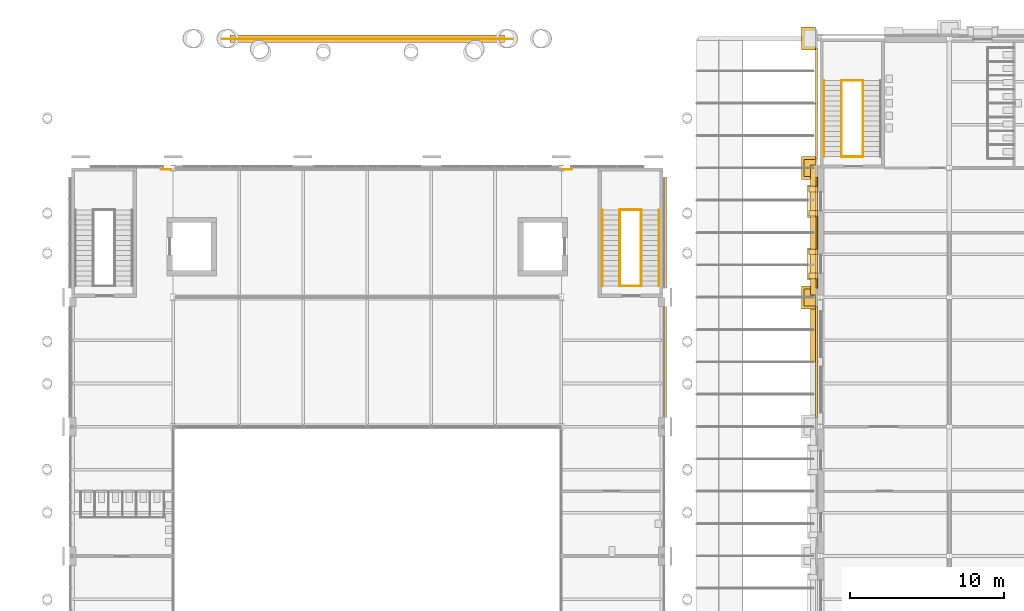
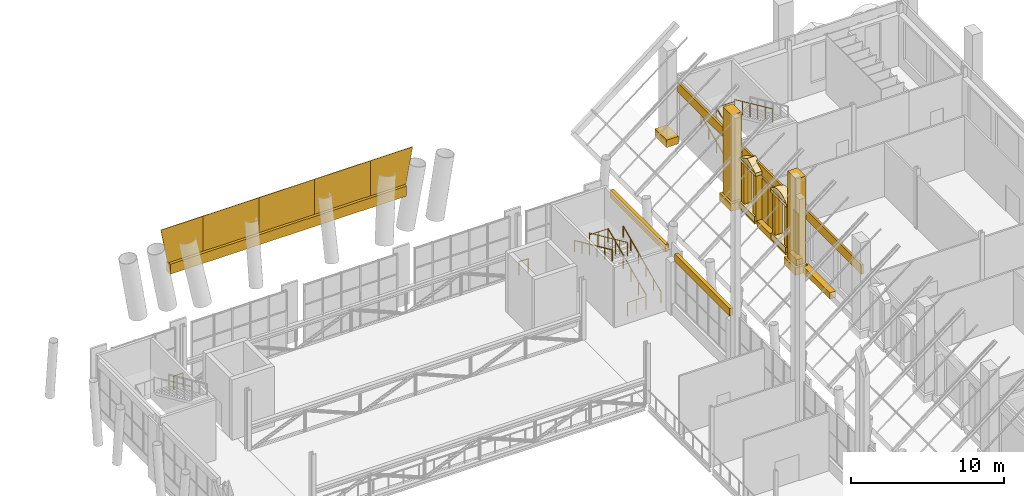
# One storey, part 67 of 76: 37 coverings, 13 railings.
"""IFC4 building model written with IfcOpenShell, lengths in metres."""

import ifcopenshell
import ifcopenshell.guid

model = None  # the IFC model being written
_history = None  # IfcOwnerHistory: only IFC2X3 demands one
_inside = {}  # id of a spatial element -> (the spatial element, [elements in it])
_under = {}  # id of a project, library or spatial element -> (it, [spatial elements below it])
_declared = {}  # id of a project -> (the project, [libraries it declares])
_typed = {}  # id of a type object -> (the type object, [elements of that type])
_made_of = {}  # id of a material, layer set ... -> (it, [elements and type objects made of it])


def new_model(schema):
    """Start an empty IFC model of exactly this schema.

    Asked for "IFC4X3", IfcOpenShell would pick the latest addendum, in which some entities
    have other attributes; the version numbers below select the first issue.
    IFC2X3 requires an IfcOwnerHistory on every rooted entity: one is made here for all.
    """
    global model, _history
    if schema == "IFC4X3":
        model = ifcopenshell.file(schema_version=(4, 3, 0, 0))
    else:
        model = ifcopenshell.file(schema=schema)
    _inside.clear()
    _under.clear()
    _declared.clear()
    _typed.clear()
    _made_of.clear()
    _history = None
    if model.schema == "IFC2X3":
        org = make("IfcOrganization", Name="unknown")
        user = make(
            "IfcPersonAndOrganization",
            ThePerson=make("IfcPerson", FamilyName="unknown"),
            TheOrganization=org,
        )
        app = make(
            "IfcApplication",
            ApplicationDeveloper=org,
            Version="unknown",
            ApplicationFullName="unknown",
            ApplicationIdentifier="unknown",
        )
        _history = make(
            "IfcOwnerHistory",
            OwningUser=user,
            OwningApplication=app,
            ChangeAction="ADDED",
            CreationDate=0,
        )
    return model


def make(cls, **values):
    """One entity of the class cls with the attributes given. An attribute that is None is left unset."""
    return model.create_entity(
        cls, **{name: value for name, value in values.items() if value is not None}
    )


def rooted(cls, **values):
    """An entity with a GlobalId (a new one), such as an element, a storey or a relation."""
    return make(cls, GlobalId=ifcopenshell.guid.new(), OwnerHistory=_history, **values)


def si_unit(unit_type, name, prefix=None):
    """IfcSIUnit, for example si_unit("LENGTHUNIT", "METRE", prefix="MILLI")."""
    return make("IfcSIUnit", UnitType=unit_type, Prefix=prefix, Name=name)


def assignment(units):
    """IfcUnitAssignment: the units of a project."""
    return None if units is None else make("IfcUnitAssignment", Units=units)


def point(xyz):
    """IfcCartesianPoint."""
    return None if xyz is None else make("IfcCartesianPoint", Coordinates=xyz)


def direction(xyz):
    """IfcDirection."""
    return None if xyz is None else make("IfcDirection", DirectionRatios=xyz)


def frame(location, z_axis=None, x_axis=None):
    """IfcAxis2Placement3D, a coordinate frame: its origin and axes. An axis left out is left unset."""
    return make(
        "IfcAxis2Placement3D",
        Location=point(location),
        Axis=direction(z_axis),
        RefDirection=direction(x_axis),
    )


def frame_2d(location, x_axis=None):
    """IfcAxis2Placement2D, a coordinate frame in the plane: its origin and x axis."""
    return make(
        "IfcAxis2Placement2D", Location=point(location), RefDirection=direction(x_axis)
    )


def origin():
    """The frame at (0, 0, 0) with its axes left unset."""
    return frame((0.0, 0.0, 0.0))


def origin_2d():
    """The frame at (0, 0) in the plane with its x axis left unset."""
    return frame_2d((0.0, 0.0))


def place(relative_to, where):
    """IfcLocalPlacement: puts the frame where relative to a parent placement (None: the world)."""
    return make(
        "IfcLocalPlacement", PlacementRelTo=relative_to, RelativePlacement=where
    )


def context(
    kind, dimensions, precision=None, world=None, true_north=None, identifier=None
):
    """IfcGeometricRepresentationContext, for example the 3D "Model" context."""
    return make(
        "IfcGeometricRepresentationContext",
        ContextIdentifier=identifier,
        ContextType=kind,
        CoordinateSpaceDimension=dimensions,
        Precision=precision,
        WorldCoordinateSystem=world,
        TrueNorth=true_north,
    )


def subcontext(parent, identifier, kind, view, scale=None):
    """IfcGeometricRepresentationSubContext, for example "Body" below "Model"."""
    return make(
        "IfcGeometricRepresentationSubContext",
        ContextIdentifier=identifier,
        ContextType=kind,
        ParentContext=parent,
        TargetScale=scale,
        TargetView=view,
    )


def project(units=None, contexts=None):
    """IfcProject with its units and contexts."""
    return rooted(
        "IfcProject",
        Name="project",
        RepresentationContexts=contexts,
        UnitsInContext=assignment(units),
    )


def spatial(cls, under=None, at=None, **own):
    """A site, building, storey or space (cls), placed at a placement, below another one or the project."""
    s = rooted(cls, ObjectPlacement=at, **own)
    if under is not None:
        _under.setdefault(under.id(), (under, []))[1].append(s)
    return s


def polyline(points):
    """IfcPolyline through the points."""
    return make("IfcPolyline", Points=[point(p) for p in points])


def profile(cls, at=None, kind="AREA", **sizes):
    """A parametric profile (cls). Its sizes go by their IFC names, for example OverallWidth=200.0."""
    return make(cls, ProfileType=kind, Position=at, **sizes)


def rectangle(**sizes):
    """IfcRectangleProfileDef."""
    return profile("IfcRectangleProfileDef", **sizes)


def circle(**sizes):
    """IfcCircleProfileDef."""
    return profile("IfcCircleProfileDef", **sizes)


def outline(outer, holes=None, kind="AREA"):
    """IfcArbitraryClosedProfileDef: a profile drawn as a closed curve; with holes, ...WithVoids."""
    if holes is None:
        return make("IfcArbitraryClosedProfileDef", ProfileType=kind, OuterCurve=outer)
    return make(
        "IfcArbitraryProfileDefWithVoids",
        ProfileType=kind,
        OuterCurve=outer,
        InnerCurves=holes,
    )


def extrude(swept, where, along, depth):
    """IfcExtrudedAreaSolid: the profile swept, set in the frame where, extruded along a direction by depth."""
    return make(
        "IfcExtrudedAreaSolid",
        SweptArea=swept,
        Position=where,
        ExtrudedDirection=direction(along),
        Depth=depth,
    )


def shape(context_of_items, identifier, shape_type, items):
    """IfcShapeRepresentation: the items that make up one representation, for example the "Body"."""
    return make(
        "IfcShapeRepresentation",
        ContextOfItems=context_of_items,
        RepresentationIdentifier=identifier,
        RepresentationType=shape_type,
        Items=items,
    )


def material(Name=None, Category=None):
    """IfcMaterial."""
    return make("IfcMaterial", Name=Name, Category=Category)


def layer(
    of_material, thickness, ventilated=None, Name=None, Category=None, Priority=None
):
    """IfcMaterialLayer: one layer of a wall or slab, of a material (None: an air gap)."""
    return make(
        "IfcMaterialLayer",
        Material=of_material,
        LayerThickness=thickness,
        IsVentilated=ventilated,
        Name=Name,
        Category=Category,
        Priority=Priority,
    )


def layer_set(layers, Name=None):
    """IfcMaterialLayerSet."""
    return make("IfcMaterialLayerSet", MaterialLayers=layers, LayerSetName=Name)


def material_profile(
    of_material, cross_section, Name=None, Category=None, Priority=None
):
    """IfcMaterialProfile: a cross section and its material."""
    return make(
        "IfcMaterialProfile",
        Name=Name,
        Material=of_material,
        Profile=cross_section,
        Priority=Priority,
        Category=Category,
    )


def profile_set(profiles, Name=None, composite=None):
    """IfcMaterialProfileSet."""
    return make(
        "IfcMaterialProfileSet",
        Name=Name,
        MaterialProfiles=profiles,
        CompositeProfile=composite,
    )


def made_of(thing, what):
    """Note that an element or type object is made of a material, layer set ...; save() writes the relation."""
    if what is not None:
        _made_of.setdefault(what.id(), (what, []))[1].append(thing)
    return thing


def type_object(cls, material=None, **own):
    """A type object (cls), such as IfcWallType, which elements share."""
    return made_of(rooted(cls, **own), material)


def element(
    cls,
    number,
    at=None,
    inside=None,
    cuts=None,
    type_object=None,
    material=None,
    context=None,
    identifier="Body",
    shape_type=None,
    held_by="IfcProductDefinitionShape",
    body=None,
    shapes=None,
    **own,
):
    """One element of the class cls, such as IfcWall. Its Tag is "e" and its number.

    at: its placement. inside: the storey or other place that contains it. cuts: it is an
    opening in that element (IfcRelVoidsElement). A single representation is given by context,
    identifier, shape_type and body (its items); several are given by shapes. held_by: the class
    of the entity that holds the representations. save() writes the other relations.
    """
    e = rooted(cls, Tag="e%d" % number, ObjectPlacement=at, **own)
    if body is not None:
        shapes = [shape(context, identifier, shape_type, body)]
    if shapes is not None:
        e.Representation = make(held_by, Representations=shapes)
    if inside is not None:
        _inside.setdefault(inside.id(), (inside, []))[1].append(e)
    if cuts is not None:
        rooted(
            "IfcRelVoidsElement", RelatingBuildingElement=cuts, RelatedOpeningElement=e
        )
    if type_object is not None:
        _typed.setdefault(type_object.id(), (type_object, []))[1].append(e)
    return made_of(e, material)


def aggregate(whole, parts):
    """IfcRelAggregates: a whole, such as a stair, and the parts it consists of."""
    return rooted("IfcRelAggregates", RelatingObject=whole, RelatedObjects=parts)


def save(model, path):
    """Write the relations noted so far, then the file.

    IfcRelAggregates (storeys below a building ...), IfcRelContainedInSpatialStructure (elements
    in a storey), IfcRelDefinesByType, IfcRelAssociatesMaterial and IfcRelDeclares: one each for
    every whole, place, type object, material and project.
    """
    for whole, parts in _under.values():
        aggregate(whole, parts)
    for where, things in _inside.values():
        rooted(
            "IfcRelContainedInSpatialStructure",
            RelatedElements=things,
            RelatingStructure=where,
        )
    for kind, things in _typed.values():
        rooted("IfcRelDefinesByType", RelatedObjects=things, RelatingType=kind)
    for what, things in _made_of.values():
        rooted("IfcRelAssociatesMaterial", RelatedObjects=things, RelatingMaterial=what)
    for by, libraries in _declared.values():
        rooted("IfcRelDeclares", RelatingContext=by, RelatedDefinitions=libraries)
    model.write(path)


model = new_model("IFC4")

# Units and contexts
model_context = context("Model", 3, precision=1e-05, world=origin(), true_north=direction((0.0, 1.0)))
body_context = subcontext(model_context, "Body", "Model", "MODEL_VIEW")
ifc_project = project(units=[si_unit("LENGTHUNIT", "METRE"), si_unit("AREAUNIT", "SQUARE_METRE"), si_unit("VOLUMEUNIT", "CUBIC_METRE"), si_unit("PLANEANGLEUNIT", "RADIAN"), si_unit("MASSUNIT", "GRAM", prefix="KILO")], contexts=[model_context])

# Site, building, storey
site_placement = place(None, origin())
site = spatial("IfcSite", under=ifc_project, at=site_placement, CompositionType="ELEMENT")
building_placement = place(site_placement, origin())
building = spatial("IfcBuilding", under=site, at=building_placement, Name="Sava Quay Ferry Terminal", CompositionType="ELEMENT")
storey_placement = place(building_placement, frame((0.0, 0.0, 6.0)))
storey = spatial("IfcBuildingStorey", under=building, at=storey_placement, Name="L01", CompositionType="ELEMENT", Elevation=6.0)

# Coverings
ifc_material_1 = material(Name="Copper patinated")
ifc_layer_1 = layer(ifc_material_1, 0.25)
ifc_layer_set_1 = layer_set([ifc_layer_1], Name="Copper patinated")
covering_type_1 = type_object("IfcCoveringType", Name="Copper spandrel panel 250", PredefinedType="CLADDING", material=ifc_layer_set_1)
for number, where, z_axis, x_axis, name in (
    (1, (82.300048828125, 84.60009765625, 4.199951171875), (0.0, 0.0, 1.0), (0.0, 1.0, 0.0), "Spandrel panel D-E"),
    (2, (82.300048828125, 93.0, 4.199951171875), (0.0, 0.0, 1.0), (0.0, 1.0, 0.0), "Spandrel panel D-E"),
):
    element("IfcCovering", number, at=place(storey_placement, frame(where, z_axis=z_axis, x_axis=x_axis)), inside=storey, type_object=covering_type_1, Name=name, PredefinedType="CLADDING", context=body_context, shape_type="SweptSolid", body=[
        extrude(outline(polyline([(0.0, 0.0), (7.199951171875, 0.0), (7.199951171875, 0.60009765625), (0.0, 0.60009765625), (0.0, 0.0)])), frame((0.0, 0.125, 0.0), z_axis=(0.0, -1.0, 0.0), x_axis=(1.0, 0.0, 0.0)), (0.0, 0.0, 1.0), 0.25),
    ])

# Railings
ifc_material_2 = material(Name="Steel S355", Category="steel")
railing_type_1 = type_object("IfcRailingType", Name="Edge guard 1100", PredefinedType="GUARDRAIL", material=ifc_material_2)
for number, where, name in (
    (3, (49.60009765625, 100.699951171875, 0.0), "Hall flank terrace edge guard"),
    (4, (75.60009765625, 100.699951171875, 0.0), "Hall flank terrace edge guard"),
):
    element("IfcRailing", number, at=place(storey_placement, frame(where)), inside=storey, type_object=railing_type_1, Name=name, PredefinedType="GUARDRAIL", context=body_context, shape_type="SweptSolid", body=[
        extrude(circle(Radius=0.02392578125, at=origin_2d()), frame((0.0, 0.0, 1.076171875), z_axis=(1.0, 0.0, 0.0), x_axis=(0.0, 1.0, 0.0)), (0.0, 0.0, 1.0), 0.699951171875),
        extrude(circle(Radius=0.02099609375, at=origin_2d()), origin(), (0.0, 0.0, 1.0), 1.052001953125),
        extrude(circle(Radius=0.02099609375, at=origin_2d()), frame((0.699951171875, 0.0, 0.0)), (0.0, 0.0, 1.0), 1.052001953125),
    ])

# Coverings
ifc_material_3 = material(Name="Limestone Mutalj", Category="masonry")
ifc_layer_2 = layer(ifc_material_3, 0.89990234375)
ifc_layer_set_2 = layer_set([ifc_layer_2], Name="Limestone Mutalj")
covering_type_2 = type_object("IfcCoveringType", Name="Giant-order pilaster base 1500", PredefinedType="MOLDING", material=ifc_layer_set_2)
for number, where, z_axis, x_axis, name in (
    (5, (91.64990234375, 92.39990234375, 0.0), (0.0, 0.0, 1.0), (1.0, 0.0, 0.0), "Giant-order pilaster base"),
    (6, (91.64990234375, 100.800048828125, 0.0), (0.0, 0.0, 1.0), (1.0, 0.0, 0.0), "Giant-order pilaster base"),
    (7, (91.64990234375, 109.199951171875, 0.0), (0.0, 0.0, 1.0), (1.0, 0.0, 0.0), "Giant-order pilaster base"),
):
    element("IfcCovering", number, at=place(storey_placement, frame(where, z_axis=z_axis, x_axis=x_axis)), inside=storey, type_object=covering_type_2, Name=name, PredefinedType="MOLDING", context=body_context, shape_type="SweptSolid", body=[
        extrude(rectangle(XDim=0.89990234375, YDim=1.5, at=origin_2d()), origin(), (0.0, 0.0, 1.0), 0.60009765625),
    ])
ifc_material_4 = material(Name="Limestone Mutalj", Category="masonry")
ifc_layer_3 = layer(ifc_material_4, 0.75)
ifc_layer_set_3 = layer_set([ifc_layer_3], Name="Limestone Mutalj")
covering_type_3 = type_object("IfcCoveringType", Name="Giant-order pilaster shaft 1100", PredefinedType="CLADDING", material=ifc_layer_set_3)
for number, where, z_axis, x_axis, name in (
    (8, (91.72509765625, 92.39990234375, 0.60009765625), (0.0, 0.0, 1.0), (1.0, 0.0, 0.0), "Giant-order pilaster"),
    (9, (91.72509765625, 100.800048828125, 0.60009765625), (0.0, 0.0, 1.0), (1.0, 0.0, 0.0), "Giant-order pilaster"),
):
    element("IfcCovering", number, at=place(storey_placement, frame(where, z_axis=z_axis, x_axis=x_axis)), inside=storey, type_object=covering_type_3, Name=name, PredefinedType="CLADDING", context=body_context, shape_type="SweptSolid", body=[
        extrude(rectangle(XDim=0.75, YDim=1.10009765625, at=origin_2d()), origin(), (0.0, 0.0, 1.0), 6.89990234375),
    ])

# Railings
ifc_material_5 = material(Name="Steel S355", Category="steel")
railing_type_2 = type_object("IfcRailingType", Name="Guard 1100", PredefinedType="GUARDRAIL", material=ifc_material_5)
railing_1_placement = place(storey_placement, frame((79.39990234375, 93.1298828125, 0.0)))
element("IfcRailing", 10, at=railing_1_placement, inside=storey, type_object=railing_type_2, Name="Guard at stair well ST-D6 L01", PredefinedType="GUARDRAIL", context=body_context, shape_type="SweptSolid", body=[
    extrude(circle(Radius=0.02392578125, at=origin_2d()), frame((0.0, 0.0, 1.076171875), z_axis=(1.0, 0.0, 0.0), x_axis=(0.0, 1.0, 0.0)), (0.0, 0.0, 1.0), 1.400146484375),
    extrude(circle(Radius=0.02099609375, at=origin_2d()), origin(), (0.0, 0.0, 1.0), 1.052001953125),
    extrude(circle(Radius=0.02099609375, at=origin_2d()), frame((0.7001953125, 0.0, 0.0)), (0.0, 0.0, 1.0), 1.052001953125),
    extrude(circle(Radius=0.02099609375, at=origin_2d()), frame((1.400146484375, 0.0, 0.0)), (0.0, 0.0, 1.0), 1.052001953125),
])
railing_2_placement = place(storey_placement, frame((80.800048828125, 93.1298828125, 0.14990234375)))
element("IfcRailing", 11, at=railing_2_placement, inside=storey, type_object=railing_type_2, Name="Guard at stair well ST-D6 L01", PredefinedType="GUARDRAIL", context=body_context, shape_type="SweptSolid", body=[
    extrude(circle(Radius=0.02392578125, at=origin_2d()), frame((0.0, 0.0, 1.076171875), z_axis=(0.0, 0.910372627913, 0.413789413043), x_axis=(-1.0, 0.0, 0.0)), (0.0, 0.0, 1.0), 5.4375),
    extrude(circle(Radius=0.02099609375, at=origin_2d()), origin(), (0.0, 0.0, 1.0), 1.052001953125),
    extrude(circle(Radius=0.02099609375, at=origin_2d()), frame((0.0, 0.989990234375, 0.449951171875)), (0.0, 0.0, 1.0), 1.052001953125),
    extrude(circle(Radius=0.02099609375, at=origin_2d()), frame((0.0, 1.97998046875, 0.89990234375)), (0.0, 0.0, 1.0), 1.052001953125),
    extrude(circle(Radius=0.02099609375, at=origin_2d()), frame((0.0, 2.97021484375, 1.35009765625)), (0.0, 0.0, 1.0), 1.052001953125),
    extrude(circle(Radius=0.02099609375, at=origin_2d()), frame((0.0, 3.960205078125, 1.800048828125)), (0.0, 0.0, 1.0), 1.052001953125),
    extrude(circle(Radius=0.02099609375, at=origin_2d()), frame((0.0, 4.9501953125, 2.25)), (0.0, 0.0, 1.0), 1.052001953125),
])
railing_3_placement = place(storey_placement, frame((79.39990234375, 98.080078125, 2.550048828125)))
element("IfcRailing", 12, at=railing_3_placement, inside=storey, type_object=railing_type_2, Name="Guard at stair well ST-D6 L01", PredefinedType="GUARDRAIL", context=body_context, shape_type="SweptSolid", body=[
    extrude(circle(Radius=0.02392578125, at=origin_2d()), frame((0.0, 0.0, 1.076171875), z_axis=(0.0, -0.910372627913, 0.413789413043), x_axis=(1.0, 0.0, 0.0)), (0.0, 0.0, 1.0), 5.4375),
    extrude(circle(Radius=0.02099609375, at=origin_2d()), origin(), (0.0, 0.0, 1.0), 1.052001953125),
    extrude(circle(Radius=0.02099609375, at=origin_2d()), frame((0.0, -0.989990234375, 0.449951171875)), (0.0, 0.0, 1.0), 1.052001953125),
    extrude(circle(Radius=0.02099609375, at=origin_2d()), frame((0.0, -1.97998046875, 0.89990234375)), (0.0, 0.0, 1.0), 1.052001953125),
    extrude(circle(Radius=0.02099609375, at=origin_2d()), frame((0.0, -2.97021484375, 1.35009765625)), (0.0, 0.0, 1.0), 1.052001953125),
    extrude(circle(Radius=0.02099609375, at=origin_2d()), frame((0.0, -3.960205078125, 1.800048828125)), (0.0, 0.0, 1.0), 1.052001953125),
    extrude(circle(Radius=0.02099609375, at=origin_2d()), frame((0.0, -4.9501953125, 2.25)), (0.0, 0.0, 1.0), 1.052001953125),
])
railing_4_placement = place(storey_placement, frame((79.39990234375, 98.080078125, 2.39990234375)))
element("IfcRailing", 13, at=railing_4_placement, inside=storey, type_object=railing_type_2, Name="Guard at half landing ST-D6 L01", PredefinedType="GUARDRAIL", context=body_context, shape_type="SweptSolid", body=[
    extrude(circle(Radius=0.02392578125, at=origin_2d()), frame((0.0, 0.0, 1.076171875), z_axis=(1.0, 0.0, 0.0), x_axis=(0.0, 1.0, 0.0)), (0.0, 0.0, 1.0), 1.400146484375),
    extrude(circle(Radius=0.02099609375, at=origin_2d()), origin(), (0.0, 0.0, 1.0), 1.052001953125),
    extrude(circle(Radius=0.02099609375, at=origin_2d()), frame((0.7001953125, 0.0, 0.0)), (0.0, 0.0, 1.0), 1.052001953125),
    extrude(circle(Radius=0.02099609375, at=origin_2d()), frame((1.400146484375, 0.0, 0.0)), (0.0, 0.0, 1.0), 1.052001953125),
])
railing_5_placement = place(storey_placement, frame((93.800048828125, 101.530029296875, 0.0)))
element("IfcRailing", 14, at=railing_5_placement, inside=storey, type_object=railing_type_2, Name="Guard at stair well ST-O3 L01", PredefinedType="GUARDRAIL", context=body_context, shape_type="SweptSolid", body=[
    extrude(circle(Radius=0.02392578125, at=origin_2d()), frame((0.0, 0.0, 1.076171875), z_axis=(1.0, 0.0, 0.0), x_axis=(0.0, 1.0, 0.0)), (0.0, 0.0, 1.0), 1.39990234375),
    extrude(circle(Radius=0.02099609375, at=origin_2d()), origin(), (0.0, 0.0, 1.0), 1.052001953125),
    extrude(circle(Radius=0.02099609375, at=origin_2d()), frame((0.699951171875, 0.0, 0.0)), (0.0, 0.0, 1.0), 1.052001953125),
    extrude(circle(Radius=0.02099609375, at=origin_2d()), frame((1.39990234375, 0.0, 0.0)), (0.0, 0.0, 1.0), 1.052001953125),
])
railing_6_placement = place(storey_placement, frame((93.800048828125, 101.530029296875, 0.14990234375)))
element("IfcRailing", 15, at=railing_6_placement, inside=storey, type_object=railing_type_2, Name="Guard at stair well ST-O3 L01", PredefinedType="GUARDRAIL", context=body_context, shape_type="SweptSolid", body=[
    extrude(circle(Radius=0.02392578125, at=origin_2d()), frame((0.0, 0.0, 1.076171875), z_axis=(0.0, 0.910364939756, 0.41380632724), x_axis=(-1.0, 0.0, 0.0)), (0.0, 0.0, 1.0), 5.437255859375),
    extrude(circle(Radius=0.02099609375, at=origin_2d()), origin(), (0.0, 0.0, 1.0), 1.052001953125),
    extrude(circle(Radius=0.02099609375, at=origin_2d()), frame((0.0, 0.989990234375, 0.449951171875)), (0.0, 0.0, 1.0), 1.052001953125),
    extrude(circle(Radius=0.02099609375, at=origin_2d()), frame((0.0, 1.97998046875, 0.89990234375)), (0.0, 0.0, 1.0), 1.052001953125),
    extrude(circle(Radius=0.02099609375, at=origin_2d()), frame((0.0, 2.969970703125, 1.35009765625)), (0.0, 0.0, 1.0), 1.052001953125),
    extrude(circle(Radius=0.02099609375, at=origin_2d()), frame((0.0, 3.9599609375, 1.800048828125)), (0.0, 0.0, 1.0), 1.052001953125),
    extrude(circle(Radius=0.02099609375, at=origin_2d()), frame((0.0, 4.949951171875, 2.25)), (0.0, 0.0, 1.0), 1.052001953125),
])
railing_7_placement = place(storey_placement, frame((95.199951171875, 106.47998046875, 2.550048828125)))
element("IfcRailing", 16, at=railing_7_placement, inside=storey, type_object=railing_type_2, Name="Guard at stair well ST-O3 L01", PredefinedType="GUARDRAIL", context=body_context, shape_type="SweptSolid", body=[
    extrude(circle(Radius=0.02392578125, at=origin_2d()), frame((0.0, 0.0, 1.076171875), z_axis=(0.0, -0.910364939756, 0.41380632724), x_axis=(1.0, 0.0, 0.0)), (0.0, 0.0, 1.0), 5.437255859375),
    extrude(circle(Radius=0.02099609375, at=origin_2d()), origin(), (0.0, 0.0, 1.0), 1.052001953125),
    extrude(circle(Radius=0.02099609375, at=origin_2d()), frame((0.0, -0.989990234375, 0.449951171875)), (0.0, 0.0, 1.0), 1.052001953125),
    extrude(circle(Radius=0.02099609375, at=origin_2d()), frame((0.0, -1.97998046875, 0.89990234375)), (0.0, 0.0, 1.0), 1.052001953125),
    extrude(circle(Radius=0.02099609375, at=origin_2d()), frame((0.0, -2.969970703125, 1.35009765625)), (0.0, 0.0, 1.0), 1.052001953125),
    extrude(circle(Radius=0.02099609375, at=origin_2d()), frame((0.0, -3.9599609375, 1.800048828125)), (0.0, 0.0, 1.0), 1.052001953125),
    extrude(circle(Radius=0.02099609375, at=origin_2d()), frame((0.0, -4.949951171875, 2.25)), (0.0, 0.0, 1.0), 1.052001953125),
])
railing_8_placement = place(storey_placement, frame((93.800048828125, 106.47998046875, 2.39990234375)))
element("IfcRailing", 17, at=railing_8_placement, inside=storey, type_object=railing_type_2, Name="Guard at half landing ST-O3 L01", PredefinedType="GUARDRAIL", context=body_context, shape_type="SweptSolid", body=[
    extrude(circle(Radius=0.02392578125, at=origin_2d()), frame((0.0, 0.0, 1.076171875), z_axis=(1.0, 0.0, 0.0), x_axis=(0.0, 1.0, 0.0)), (0.0, 0.0, 1.0), 1.39990234375),
    extrude(circle(Radius=0.02099609375, at=origin_2d()), origin(), (0.0, 0.0, 1.0), 1.052001953125),
    extrude(circle(Radius=0.02099609375, at=origin_2d()), frame((0.699951171875, 0.0, 0.0)), (0.0, 0.0, 1.0), 1.052001953125),
    extrude(circle(Radius=0.02099609375, at=origin_2d()), frame((1.39990234375, 0.0, 0.0)), (0.0, 0.0, 1.0), 1.052001953125),
])

# Coverings
ifc_material_6 = material(Name="Limestone Mutalj", Category="masonry")
ifc_layer_4 = layer(ifc_material_6, 0.080078125)
ifc_layer_set_4 = layer_set([ifc_layer_4], Name="Limestone Mutalj")
covering_type_4 = type_object("IfcCoveringType", Name="Light stone cladding 80", PredefinedType="CLADDING", material=ifc_layer_set_4)
covering_1_placement = place(storey_placement, frame((92.2099609375, 93.309326171875, 0.5), z_axis=(0.0, 0.0, 1.0), x_axis=(1.0, 0.0, 0.0)))
element("IfcCovering", 18, at=covering_1_placement, inside=storey, type_object=covering_type_4, Name="Light stone cladding", PredefinedType="CLADDING", context=body_context, shape_type="SweptSolid", body=[
    extrude(rectangle(XDim=0.080078125, YDim=0.61865234375, at=origin_2d()), origin(), (0.0, 0.0, 1.0), 3.25),
])
covering_2_placement = place(storey_placement, frame((92.2099609375, 95.893798828125, 0.5), z_axis=(0.0, 0.0, 1.0), x_axis=(1.0, 0.0, 0.0)))
element("IfcCovering", 19, at=covering_2_placement, inside=storey, type_object=covering_type_4, Name="Light stone cladding", PredefinedType="CLADDING", context=body_context, shape_type="SweptSolid", body=[
    extrude(rectangle(XDim=0.080078125, YDim=0.75, at=origin_2d()), origin(), (0.0, 0.0, 1.0), 3.25),
])
covering_3_placement = place(storey_placement, frame((92.2099609375, 96.60009765625, 0.5), z_axis=(0.0, 0.0, 1.0), x_axis=(1.0, 0.0, 0.0)))
element("IfcCovering", 20, at=covering_3_placement, inside=storey, type_object=covering_type_4, Name="Light stone cladding", PredefinedType="CLADDING", context=body_context, shape_type="SweptSolid", body=[
    extrude(rectangle(XDim=0.080078125, YDim=0.66259765625, at=origin_2d()), origin(), (0.0, 0.0, 1.0), 3.550048828125),
])
covering_4_placement = place(storey_placement, frame((92.2099609375, 97.30615234375, 0.5), z_axis=(0.0, 0.0, 1.0), x_axis=(1.0, 0.0, 0.0)))
element("IfcCovering", 21, at=covering_4_placement, inside=storey, type_object=covering_type_4, Name="Light stone cladding", PredefinedType="CLADDING", context=body_context, shape_type="SweptSolid", body=[
    extrude(rectangle(XDim=0.080078125, YDim=0.75, at=origin_2d()), origin(), (0.0, 0.0, 1.0), 3.25),
])
covering_5_placement = place(storey_placement, frame((92.2099609375, 99.890625, 0.5), z_axis=(0.0, 0.0, 1.0), x_axis=(1.0, 0.0, 0.0)))
element("IfcCovering", 22, at=covering_5_placement, inside=storey, type_object=covering_type_4, Name="Light stone cladding", PredefinedType="CLADDING", context=body_context, shape_type="SweptSolid", body=[
    extrude(rectangle(XDim=0.080078125, YDim=0.618896484375, at=origin_2d()), origin(), (0.0, 0.0, 1.0), 3.25),
])
ifc_material_7 = material(Name="Limestone Mutalj", Category="masonry")
ifc_layer_5 = layer(ifc_material_7, 0.14990234375)
ifc_layer_set_5 = layer_set([ifc_layer_5], Name="Limestone Mutalj")
covering_type_5 = type_object("IfcCoveringType", Name="Limestone string course 150", PredefinedType="CLADDING", material=ifc_layer_set_5)
covering_6_placement = place(storey_placement, frame((0.0, 0.0, 4.050048828125)))
element("IfcCovering", 23, at=covering_6_placement, inside=storey, type_object=covering_type_5, Name="String course O-W", PredefinedType="CLADDING", context=body_context, shape_type="SweptSolid", body=[
    extrude(outline(polyline([(92.25, 84.60009765625), (92.25, 91.800048828125), (92.10009765625, 91.800048828125), (92.10009765625, 84.60009765625), (92.25, 84.60009765625)])), origin(), (0.0, 0.0, 1.0), 0.75),
])
covering_7_placement = place(storey_placement, frame((0.0, 0.0, 4.050048828125)))
element("IfcCovering", 24, at=covering_7_placement, inside=storey, type_object=covering_type_5, Name="String course O-W", PredefinedType="CLADDING", context=body_context, shape_type="SweptSolid", body=[
    extrude(outline(polyline([(92.25, 93.0), (92.25, 100.199951171875), (92.10009765625, 100.199951171875), (92.10009765625, 93.0), (92.25, 93.0)])), origin(), (0.0, 0.0, 1.0), 0.75),
])
covering_8_placement = place(storey_placement, frame((0.0, 0.0, 4.050048828125)))
element("IfcCovering", 25, at=covering_8_placement, inside=storey, type_object=covering_type_5, Name="String course O-W", PredefinedType="CLADDING", context=body_context, shape_type="SweptSolid", body=[
    extrude(outline(polyline([(92.25, 101.39990234375), (92.25, 108.60009765625), (92.10009765625, 108.60009765625), (92.10009765625, 101.39990234375), (92.25, 101.39990234375)])), origin(), (0.0, 0.0, 1.0), 0.75),
])
ifc_material_8 = material(Name="Limestone Mutalj", Category="masonry")
ifc_layer_6 = layer(ifc_material_8, 0.449951171875)
ifc_layer_set_6 = layer_set([ifc_layer_6], Name="Limestone Mutalj")
covering_type_6 = type_object("IfcCoveringType", Name="Projecting string course 500", PredefinedType="MOLDING", material=ifc_layer_set_6)
covering_9_placement = place(storey_placement, frame((92.02490234375, 90.0, 0.0), z_axis=(0.0, 0.0, 1.0), x_axis=(1.0, 0.0, 0.0)))
element("IfcCovering", 26, at=covering_9_placement, inside=storey, type_object=covering_type_6, Name="Projecting string course", PredefinedType="MOLDING", context=body_context, shape_type="SweptSolid", body=[
    extrude(rectangle(XDim=0.449951171875, YDim=3.60009765625, at=origin_2d()), origin(), (0.0, 0.0, 1.0), 0.5),
])
covering_10_placement = place(storey_placement, frame((92.02490234375, 93.08447265625, 0.0), z_axis=(0.0, 0.0, 1.0), x_axis=(1.0, 0.0, 0.0)))
element("IfcCovering", 27, at=covering_10_placement, inside=storey, type_object=covering_type_6, Name="Projecting string course", PredefinedType="MOLDING", context=body_context, shape_type="SweptSolid", body=[
    extrude(rectangle(XDim=0.449951171875, YDim=1.068603515625, at=origin_2d()), origin(), (0.0, 0.0, 1.0), 0.5),
])
covering_11_placement = place(storey_placement, frame((92.02490234375, 94.568603515625, 0.0), z_axis=(0.0, 0.0, 1.0), x_axis=(1.0, 0.0, 0.0)))
element("IfcCovering", 28, at=covering_11_placement, inside=storey, type_object=covering_type_6, Name="Projecting string course", PredefinedType="MOLDING", context=body_context, shape_type="SweptSolid", body=[
    extrude(rectangle(XDim=0.449951171875, YDim=1.199951171875, at=origin_2d()), origin(), (0.0, 0.0, 1.0), 0.449951171875),
])
covering_12_placement = place(storey_placement, frame((92.02490234375, 96.60009765625, 0.0), z_axis=(0.0, 0.0, 1.0), x_axis=(1.0, 0.0, 0.0)))
element("IfcCovering", 29, at=covering_12_placement, inside=storey, type_object=covering_type_6, Name="Projecting string course", PredefinedType="MOLDING", context=body_context, shape_type="SweptSolid", body=[
    extrude(rectangle(XDim=0.449951171875, YDim=2.16259765625, at=origin_2d()), origin(), (0.0, 0.0, 1.0), 0.5),
])
covering_13_placement = place(storey_placement, frame((92.02490234375, 98.631103515625, 0.0), z_axis=(0.0, 0.0, 1.0), x_axis=(1.0, 0.0, 0.0)))
element("IfcCovering", 30, at=covering_13_placement, inside=storey, type_object=covering_type_6, Name="Projecting string course", PredefinedType="MOLDING", context=body_context, shape_type="SweptSolid", body=[
    extrude(rectangle(XDim=0.449951171875, YDim=1.199951171875, at=origin_2d()), origin(), (0.0, 0.0, 1.0), 0.449951171875),
])
covering_14_placement = place(storey_placement, frame((92.02490234375, 100.29052734375, 0.0), z_axis=(0.0, 0.0, 1.0), x_axis=(1.0, 0.0, 0.0)))
element("IfcCovering", 31, at=covering_14_placement, inside=storey, type_object=covering_type_6, Name="Projecting string course", PredefinedType="MOLDING", context=body_context, shape_type="SweptSolid", body=[
    extrude(rectangle(XDim=0.449951171875, YDim=1.418701171875, at=origin_2d()), origin(), (0.0, 0.0, 1.0), 0.5),
])
ifc_material_9 = material(Name="Laminated glass", Category="glass")
ifc_layer_7 = layer(ifc_material_9, 0.0400390625)
ifc_layer_set_7 = layer_set([ifc_layer_7], Name="Laminated glass")
covering_type_7 = type_object("IfcCoveringType", Name="Prow end glazing 40", PredefinedType="CLADDING", material=ifc_layer_set_7)
covering_15_placement = place(storey_placement, frame((54.031494140625, 109.199951171875, 3.3798828125), z_axis=(0.0, 1.0, 0.0), x_axis=(-0.180432463783, 0.0, 0.983587375892)))
element("IfcCovering", 32, at=covering_15_placement, inside=storey, type_object=covering_type_7, Name="Departure hall prow end glazing panel 1", PredefinedType="CLADDING", context=body_context, shape_type="SweptSolid", body=[
    extrude(outline(polyline([(0.0, 0.0), (2.8604236201687785, 0.0), (2.285823752594362, 3.1323031570139905), (-0.481476276647376, 2.6246606490465285), (0.0, 0.0)])), origin(), (0.0, 0.0, -1.0), 0.0400390625),
])
covering_16_placement = place(storey_placement, frame((56.699951171875, 109.199951171875, 3.3798828125), z_axis=(0.0, 1.0, 0.0), x_axis=(0.0, 0.0, 1.0)))
element("IfcCovering", 33, at=covering_16_placement, inside=storey, type_object=covering_type_7, Name="Departure hall prow end glazing panel 2", PredefinedType="CLADDING", context=body_context, shape_type="SweptSolid", body=[
    extrude(outline(polyline([(0.0, 0.0), (2.8134765625, 0.0), (2.8134765625, 4.199951171875), (0.0, 4.199951171875), (0.0, 0.0)])), origin(), (0.0, 0.0, -1.0), 0.0400390625),
])
covering_17_placement = place(storey_placement, frame((60.89990234375, 109.199951171875, 3.3798828125), z_axis=(0.0, 1.0, 0.0), x_axis=(0.0, 0.0, 1.0)))
element("IfcCovering", 34, at=covering_17_placement, inside=storey, type_object=covering_type_7, Name="Departure hall prow end glazing panel 3", PredefinedType="CLADDING", context=body_context, shape_type="SweptSolid", body=[
    extrude(outline(polyline([(0.0, 0.0), (2.8134765625, 0.0), (2.8134765625, 4.2001953125), (0.0, 4.2001953125), (0.0, 0.0)])), origin(), (0.0, 0.0, -1.0), 0.0400390625),
])
covering_18_placement = place(storey_placement, frame((65.10009765625, 109.199951171875, 3.3798828125), z_axis=(0.0, 1.0, 0.0), x_axis=(0.0, 0.0, 1.0)))
element("IfcCovering", 35, at=covering_18_placement, inside=storey, type_object=covering_type_7, Name="Departure hall prow end glazing panel 4", PredefinedType="CLADDING", context=body_context, shape_type="SweptSolid", body=[
    extrude(outline(polyline([(0.0, 0.0), (2.8134765625, 0.0), (2.8134765625, 4.199951171875), (0.0, 4.199951171875), (0.0, 0.0)])), origin(), (0.0, 0.0, -1.0), 0.0400390625),
])
covering_19_placement = place(storey_placement, frame((69.300048828125, 109.199951171875, 3.3798828125), z_axis=(0.0, 1.0, 0.0), x_axis=(0.0, 0.0, 1.0)))
element("IfcCovering", 36, at=covering_19_placement, inside=storey, type_object=covering_type_7, Name="Departure hall prow end glazing panel 5", PredefinedType="CLADDING", context=body_context, shape_type="SweptSolid", body=[
    extrude(outline(polyline([(0.0, 0.0), (2.8134765625, 0.0), (2.8134765625, 3.1845703125), (0.0, 2.66845703125), (0.0, 0.0)])), origin(), (0.0, 0.0, -1.0), 0.0400390625),
])
ifc_material_10 = material(Name="Steel S355", Category="steel")
ifc_material_profile = material_profile(ifc_material_10, rectangle(XDim=0.5, YDim=0.800048828125, at=origin_2d()), Name="Transom 500 x 800")
ifc_profile_set = profile_set([ifc_material_profile], Name="Steel S355")
covering_type_8 = type_object("IfcCoveringType", Name="Prow portal transom cladding 500 x 800", PredefinedType="CLADDING", material=ifc_profile_set)
covering_20_placement = place(storey_placement, frame((54.10107421875, 109.199951171875, 3.0), z_axis=(1.0, 0.0, 0.0), x_axis=(0.0, 1.0, 0.0)))
element("IfcCovering", 37, at=covering_20_placement, inside=storey, type_object=covering_type_8, Name="Departure hall prow portal transom", PredefinedType="CLADDING", context=body_context, shape_type="SweptSolid", body=[
    extrude(rectangle(XDim=0.5, YDim=0.800048828125, at=origin_2d()), origin(), (0.0, 0.0, 1.0), 17.7978515625),
])
ifc_material_11 = material(Name="Limestone Mutalj", Category="masonry")
ifc_layer_8 = layer(ifc_material_11, 0.64990234375)
ifc_layer_set_8 = layer_set([ifc_layer_8], Name="Limestone Mutalj")
covering_type_9 = type_object("IfcCoveringType", Name="Segmental window head 500", PredefinedType="MOLDING", material=ifc_layer_set_8)
covering_21_placement = place(storey_placement, frame((91.60009765625, 93.518798828125, 4.39990234375), z_axis=(-1.0, 0.0, 0.0), x_axis=(0.0, 0.71122974715, 0.702959633811)))
element("IfcCovering", 38, at=covering_21_placement, inside=storey, type_object=covering_type_9, Name="Segmental window head", PredefinedType="MOLDING", context=body_context, shape_type="SweptSolid", body=[
    extrude(outline(polyline([(0.0, 0.0), (0.29520831818581716, 0.0), (0.5408181661149173, 0.05018198167150195), (0.752447055183014, 0.1347446981906073), (0.9373030675727445, 0.24639526640782444), (1.0981321393536847, 0.382355445123347), (1.2361376366269134, 0.5417550148915962), (1.3499425532163642, 0.7252925741538023), (1.4369745931274485, 0.93591798511412), (1.4900256741775295, 1.1809241309220415), (1.4934782849708934, 1.4761122584014645), (0.0, 0.0)])), origin(), (0.0, 0.0, -1.0), 0.64990234375),
])

# Railings
ifc_material_12 = material(Name="Steel S355", Category="steel")
railing_type_3 = type_object("IfcRailingType", Name="Stair handrail 900", PredefinedType="HANDRAIL", material=ifc_material_12)
railing_9_placement = place(storey_placement, frame((81.93994140625, 93.1298828125, 0.14990234375)))
element("IfcRailing", 39, at=railing_9_placement, inside=storey, type_object=railing_type_3, Name="Handrail ST-D6 L01", PredefinedType="HANDRAIL", context=body_context, shape_type="SweptSolid", body=[
    extrude(circle(Radius=0.02392578125, at=origin_2d()), frame((0.0, 0.0, 0.8759765625), z_axis=(0.0, 0.910372627913, 0.413789413043), x_axis=(-1.0, 0.0, 0.0)), (0.0, 0.0, 1.0), 5.4375),
    extrude(circle(Radius=0.02099609375, at=origin_2d()), origin(), (0.0, 0.0, 1.0), 0.851806640625),
    extrude(circle(Radius=0.02099609375, at=origin_2d()), frame((0.0, 0.989990234375, 0.449951171875)), (0.0, 0.0, 1.0), 0.851806640625),
    extrude(circle(Radius=0.02099609375, at=origin_2d()), frame((0.0, 1.97998046875, 0.89990234375)), (0.0, 0.0, 1.0), 0.851806640625),
    extrude(circle(Radius=0.02099609375, at=origin_2d()), frame((0.0, 2.97021484375, 1.35009765625)), (0.0, 0.0, 1.0), 0.851806640625),
    extrude(circle(Radius=0.02099609375, at=origin_2d()), frame((0.0, 3.960205078125, 1.800048828125)), (0.0, 0.0, 1.0), 0.851806640625),
    extrude(circle(Radius=0.02099609375, at=origin_2d()), frame((0.0, 4.9501953125, 2.25)), (0.0, 0.0, 1.0), 0.851806640625),
])
railing_10_placement = place(storey_placement, frame((78.260009765625, 98.080078125, 2.550048828125)))
element("IfcRailing", 40, at=railing_10_placement, inside=storey, type_object=railing_type_3, Name="Handrail ST-D6 L01", PredefinedType="HANDRAIL", context=body_context, shape_type="SweptSolid", body=[
    extrude(circle(Radius=0.02392578125, at=origin_2d()), frame((0.0, 0.0, 0.8759765625), z_axis=(0.0, -0.910372627913, 0.413789413043), x_axis=(1.0, 0.0, 0.0)), (0.0, 0.0, 1.0), 5.4375),
    extrude(circle(Radius=0.02099609375, at=origin_2d()), origin(), (0.0, 0.0, 1.0), 0.851806640625),
    extrude(circle(Radius=0.02099609375, at=origin_2d()), frame((0.0, -0.989990234375, 0.449951171875)), (0.0, 0.0, 1.0), 0.851806640625),
    extrude(circle(Radius=0.02099609375, at=origin_2d()), frame((0.0, -1.97998046875, 0.89990234375)), (0.0, 0.0, 1.0), 0.851806640625),
    extrude(circle(Radius=0.02099609375, at=origin_2d()), frame((0.0, -2.97021484375, 1.35009765625)), (0.0, 0.0, 1.0), 0.851806640625),
    extrude(circle(Radius=0.02099609375, at=origin_2d()), frame((0.0, -3.960205078125, 1.800048828125)), (0.0, 0.0, 1.0), 0.851806640625),
    extrude(circle(Radius=0.02099609375, at=origin_2d()), frame((0.0, -4.9501953125, 2.25)), (0.0, 0.0, 1.0), 0.851806640625),
])
railing_11_placement = place(storey_placement, frame((92.659912109375, 101.530029296875, 0.14990234375)))
element("IfcRailing", 41, at=railing_11_placement, inside=storey, type_object=railing_type_3, Name="Handrail ST-O3 L01", PredefinedType="HANDRAIL", context=body_context, shape_type="SweptSolid", body=[
    extrude(circle(Radius=0.02392578125, at=origin_2d()), frame((0.0, 0.0, 0.8759765625), z_axis=(0.0, 0.910364939756, 0.41380632724), x_axis=(-1.0, 0.0, 0.0)), (0.0, 0.0, 1.0), 5.437255859375),
    extrude(circle(Radius=0.02099609375, at=origin_2d()), origin(), (0.0, 0.0, 1.0), 0.851806640625),
    extrude(circle(Radius=0.02099609375, at=origin_2d()), frame((0.0, 0.989990234375, 0.449951171875)), (0.0, 0.0, 1.0), 0.851806640625),
    extrude(circle(Radius=0.02099609375, at=origin_2d()), frame((0.0, 1.97998046875, 0.89990234375)), (0.0, 0.0, 1.0), 0.851806640625),
    extrude(circle(Radius=0.02099609375, at=origin_2d()), frame((0.0, 2.969970703125, 1.35009765625)), (0.0, 0.0, 1.0), 0.851806640625),
    extrude(circle(Radius=0.02099609375, at=origin_2d()), frame((0.0, 3.9599609375, 1.800048828125)), (0.0, 0.0, 1.0), 0.851806640625),
    extrude(circle(Radius=0.02099609375, at=origin_2d()), frame((0.0, 4.949951171875, 2.25)), (0.0, 0.0, 1.0), 0.851806640625),
])

# Coverings
ifc_material_13 = material(Name="Limestone Mutalj", Category="masonry")
ifc_layer_9 = layer(ifc_material_13, 0.64990234375)
ifc_layer_set_9 = layer_set([ifc_layer_9], Name="Limestone Mutalj")
covering_type_10 = type_object("IfcCoveringType", Name="Triangular window head 500", PredefinedType="MOLDING", material=ifc_layer_set_9)
covering_22_placement = place(storey_placement, frame((92.25, 97.581298828125, 4.39990234375), z_axis=(1.0, 0.0, 0.0), x_axis=(0.0, 1.0, 0.0)))
element("IfcCovering", 42, at=covering_22_placement, inside=storey, type_object=covering_type_10, Name="Triangular window head", PredefinedType="MOLDING", context=body_context, shape_type="SweptSolid", body=[
    extrude(outline(polyline([(0.0, 0.0), (2.099853515625, 0.0), (1.0498046875, 0.550048828125), (0.0, 0.0)])), origin(), (0.0, 0.0, -1.0), 0.64990234375),
])
ifc_material_14 = material(Name="Limestone Mutalj", Category="masonry")
ifc_layer_10 = layer(ifc_material_14, 0.550048828125)
ifc_layer_set_10 = layer_set([ifc_layer_10], Name="Limestone Mutalj")
covering_type_11 = type_object("IfcCoveringType", Name="Window surround jamb 350", PredefinedType="MOLDING", material=ifc_layer_set_10)
for number, where, z_axis, x_axis, name in (
    (43, (91.97509765625, 93.793701171875, 0.4501953125), (0.0, 0.0, 1.0), (1.0, 0.0, 0.0), "Window surround jamb"),
    (44, (91.97509765625, 95.34375, 0.4501953125), (0.0, 0.0, 1.0), (1.0, 0.0, 0.0), "Window surround jamb"),
    (45, (91.97509765625, 97.856201171875, 0.4501953125), (0.0, 0.0, 1.0), (1.0, 0.0, 0.0), "Window surround jamb"),
    (46, (91.97509765625, 99.40625, 0.4501953125), (0.0, 0.0, 1.0), (1.0, 0.0, 0.0), "Window surround jamb"),
):
    element("IfcCovering", number, at=place(storey_placement, frame(where, z_axis=z_axis, x_axis=x_axis)), inside=storey, type_object=covering_type_11, Name=name, PredefinedType="MOLDING", context=body_context, shape_type="SweptSolid", body=[
        extrude(rectangle(XDim=0.550048828125, YDim=0.35009765625, at=origin_2d()), origin(), (0.0, 0.0, 1.0), 3.699951171875),
    ])
ifc_material_15 = material(Name="Limestone Mutalj", Category="masonry")
ifc_layer_11 = layer(ifc_material_15, 0.64990234375)
ifc_layer_set_11 = layer_set([ifc_layer_11], Name="Limestone Mutalj")
covering_type_12 = type_object("IfcCoveringType", Name="Window surround lintel 300", PredefinedType="MOLDING", material=ifc_layer_set_11)
for number, where, z_axis, x_axis, name in (
    (47, (91.925048828125, 94.568603515625, 4.14990234375), (0.0, 0.0, 1.0), (1.0, 0.0, 0.0), "Window surround lintel"),
    (48, (91.925048828125, 98.631103515625, 4.14990234375), (0.0, 0.0, 1.0), (1.0, 0.0, 0.0), "Window surround lintel"),
):
    element("IfcCovering", number, at=place(storey_placement, frame(where, z_axis=z_axis, x_axis=x_axis)), inside=storey, type_object=covering_type_12, Name=name, PredefinedType="MOLDING", context=body_context, shape_type="SweptSolid", body=[
        extrude(rectangle(XDim=0.64990234375, YDim=2.10009765625, at=origin_2d()), origin(), (0.0, 0.0, 1.0), 0.25),
    ])
ifc_material_16 = material(Name="Limestone Mutalj", Category="masonry")
ifc_layer_12 = layer(ifc_material_16, 0.64990234375)
ifc_layer_set_12 = layer_set([ifc_layer_12], Name="Limestone Mutalj")
covering_type_13 = type_object("IfcCoveringType", Name="Window surround sill 450", PredefinedType="MOLDING", material=ifc_layer_set_12)
for number, where, z_axis, x_axis, name in (
    (49, (91.925048828125, 94.568603515625, 0.4501953125), (0.0, 0.0, 1.0), (1.0, 0.0, 0.0), "Window surround sill"),
    (50, (91.925048828125, 98.631103515625, 0.4501953125), (0.0, 0.0, 1.0), (1.0, 0.0, 0.0), "Window surround sill"),
):
    element("IfcCovering", number, at=place(storey_placement, frame(where, z_axis=z_axis, x_axis=x_axis)), inside=storey, type_object=covering_type_13, Name=name, PredefinedType="MOLDING", context=body_context, shape_type="SweptSolid", body=[
        extrude(rectangle(XDim=0.64990234375, YDim=1.89990234375, at=origin_2d()), origin(), (0.0, 0.0, 1.0), 0.449951171875),
    ])

save(model, "model.ifc")
